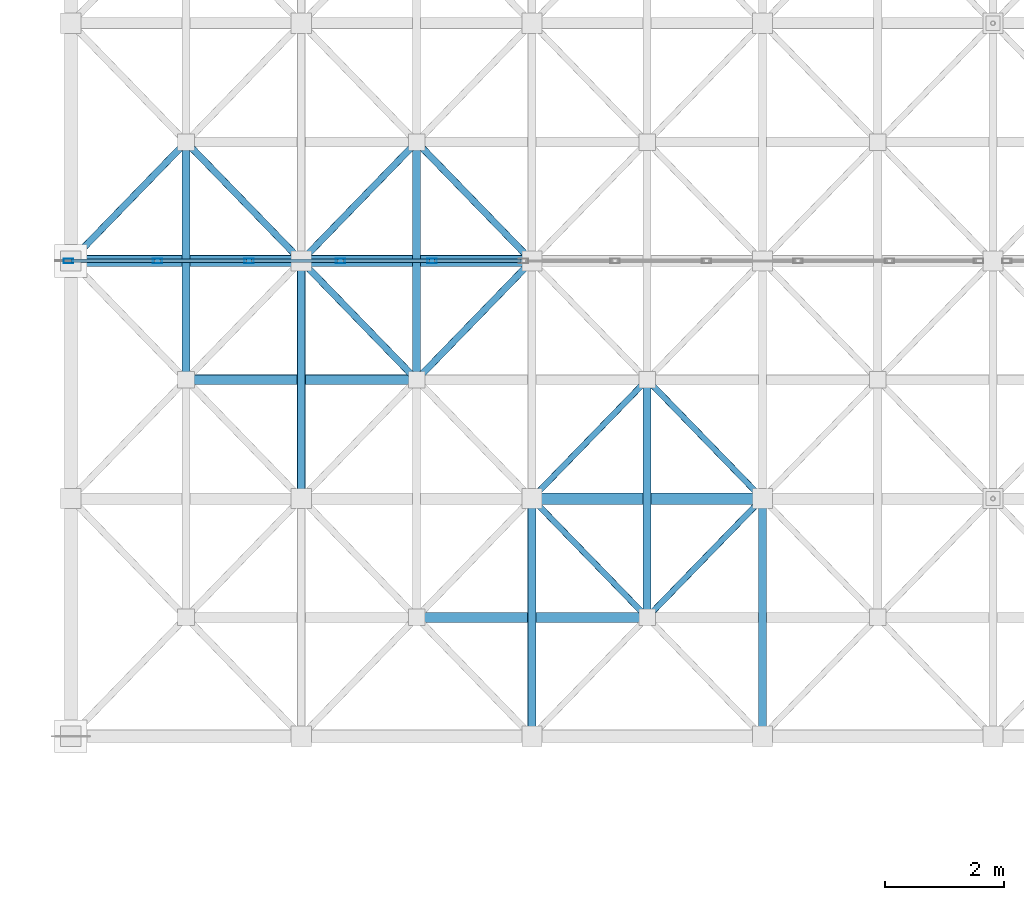
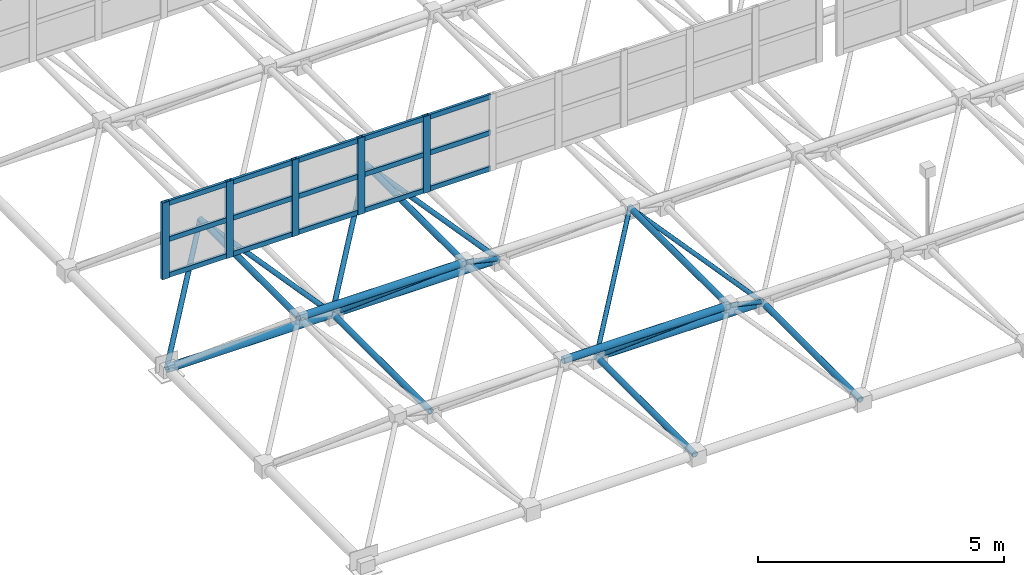
# One storey, part 47 of 195: 41 members, 1 element without a shape of its own.
"""IFC4 building model written with IfcOpenShell, lengths in metres."""

from ifc_helpers import new_model, si_unit, direction, frame, origin, origin_2d, place, context, subcontext, project, spatial, hollow_rectangle, hollow_circle, extrude, material, material_profile, profile_set, type_object, element, aggregate, save


model = new_model("IFC4")

# Units and contexts
model_context = context("Model", 3, precision=1e-05, world=origin(), true_north=direction((0.0, 1.0)))
body_context = subcontext(model_context, "Body", "Model", "MODEL_VIEW")
ifc_project = project(units=[si_unit("LENGTHUNIT", "METRE"), si_unit("AREAUNIT", "SQUARE_METRE"), si_unit("VOLUMEUNIT", "CUBIC_METRE"), si_unit("PLANEANGLEUNIT", "RADIAN"), si_unit("MASSUNIT", "GRAM", prefix="KILO")], contexts=[model_context])

# Site, building, storey
site_placement = place(None, origin())
site = spatial("IfcSite", under=ifc_project, at=site_placement, CompositionType="ELEMENT")
building_placement = place(site_placement, origin())
building = spatial("IfcBuilding", under=site, at=building_placement, Name="Kharva Crest Polytechnic", CompositionType="ELEMENT")
storey_placement = place(building_placement, frame((0.0, 0.0, 9.0)))
storey = spatial("IfcBuildingStorey", under=building, at=storey_placement, Name="L02", CompositionType="ELEMENT", Elevation=9.0)

# Curtain wall, members
ifc_material_1 = material(Name="Tempered insulated glass", Category="glass")
curtain_wall_type = type_object("IfcCurtainWallType", Name="CW-SYS-NORTHLIGHT", PredefinedType="USERDEFINED", material=ifc_material_1)
curtain_wall_placement = place(storey_placement, origin())
curtain_wall = element("IfcCurtainWall", 1, at=curtain_wall_placement, inside=storey, type_object=curtain_wall_type, Name="L02 Glazed Curtain Wall CW-189", ObjectType="CURTAIN WALL", PredefinedType="USERDEFINED")
ifc_material_2 = material(Name="Steel S355", Category="steel")
ifc_material_profile_1 = material_profile(ifc_material_2, hollow_rectangle(XDim=0.080078125, YDim=0.159912109375, WallThickness=0.0048828125, at=origin_2d()), Name="RHS 160X80X5.0")
ifc_profile_set_1 = profile_set([ifc_material_profile_1], Name="Steel S355")
member_type_1 = type_object("IfcMemberType", Name="CWM-RHS160X80", PredefinedType="MULLION", material=ifc_profile_set_1)
member_1_placement = place(storey_placement, frame((0.43994140625, 46.800048828125, 2.85009765625), z_axis=(0.0, 0.0, 1.0), x_axis=(0.0, 1.0, 0.0)))
member_1 = element("IfcMember", 2, at=member_1_placement, type_object=member_type_1, Name="CW-189 mullion 1", PredefinedType="MULLION", context=body_context, shape_type="SweptSolid", body=[
    extrude(hollow_rectangle(XDim=0.080078125, YDim=0.159912109375, WallThickness=0.0048828125, at=origin_2d()), origin(), (0.0, 0.0, 1.0), 1.89990234375),
])
member_2_placement = place(storey_placement, frame((1.93994140625, 46.800048828125, 2.85009765625), z_axis=(0.0, 0.0, 1.0), x_axis=(0.0, 1.0, 0.0)))
member_2 = element("IfcMember", 3, at=member_2_placement, type_object=member_type_1, Name="CW-189 mullion 2", PredefinedType="MULLION", context=body_context, shape_type="SweptSolid", body=[
    extrude(hollow_rectangle(XDim=0.080078125, YDim=0.159912109375, WallThickness=0.0048828125, at=origin_2d()), origin(), (0.0, 0.0, 1.0), 1.89990234375),
])
member_3_placement = place(storey_placement, frame((3.47998046875, 46.800048828125, 2.85009765625), z_axis=(0.0, 0.0, 1.0), x_axis=(0.0, 1.0, 0.0)))
member_3 = element("IfcMember", 4, at=member_3_placement, type_object=member_type_1, Name="CW-189 mullion 3", PredefinedType="MULLION", context=body_context, shape_type="SweptSolid", body=[
    extrude(hollow_rectangle(XDim=0.080078125, YDim=0.159912109375, WallThickness=0.0048828125, at=origin_2d()), origin(), (0.0, 0.0, 1.0), 1.89990234375),
])
member_4_placement = place(storey_placement, frame((5.02001953125, 46.800048828125, 2.85009765625), z_axis=(0.0, 0.0, 1.0), x_axis=(0.0, 1.0, 0.0)))
member_4 = element("IfcMember", 5, at=member_4_placement, type_object=member_type_1, Name="CW-189 mullion 4", PredefinedType="MULLION", context=body_context, shape_type="SweptSolid", body=[
    extrude(hollow_rectangle(XDim=0.080078125, YDim=0.159912109375, WallThickness=0.0048828125, at=origin_2d()), origin(), (0.0, 0.0, 1.0), 1.89990234375),
])
member_5_placement = place(storey_placement, frame((6.56005859375, 46.800048828125, 2.85009765625), z_axis=(0.0, 0.0, 1.0), x_axis=(0.0, 1.0, 0.0)))
member_5 = element("IfcMember", 6, at=member_5_placement, type_object=member_type_1, Name="CW-189 mullion 5", PredefinedType="MULLION", context=body_context, shape_type="SweptSolid", body=[
    extrude(hollow_rectangle(XDim=0.080078125, YDim=0.159912109375, WallThickness=0.0048828125, at=origin_2d()), origin(), (0.0, 0.0, 1.0), 1.89990234375),
])
ifc_material_profile_2 = material_profile(ifc_material_2, hollow_rectangle(XDim=0.06005859375, YDim=0.1201171875, WallThickness=0.00390625, at=origin_2d()), Name="RHS 120X60X4.0")
ifc_profile_set_2 = profile_set([ifc_material_profile_2], Name="Steel S355")
member_type_2 = type_object("IfcMemberType", Name="CWT-RHS120X60", PredefinedType="USERDEFINED", material=ifc_profile_set_2)
member_6_placement = place(storey_placement, frame((0.47998046875, 46.800048828125, 2.909912109375), z_axis=(1.0, 0.0, 0.0), x_axis=(0.0, 1.0, 0.0)))
member_6 = element("IfcMember", 7, at=member_6_placement, type_object=member_type_2, Name="CW-189 transom 1.1", ObjectType="TRANSOM", PredefinedType="USERDEFINED", context=body_context, shape_type="SweptSolid", body=[
    extrude(hollow_rectangle(XDim=0.06005859375, YDim=0.1201171875, WallThickness=0.00390625, at=origin_2d()), origin(), (0.0, 0.0, 1.0), 1.419921875),
])
member_7_placement = place(storey_placement, frame((0.47998046875, 46.800048828125, 3.800048828125), z_axis=(1.0, 0.0, 0.0), x_axis=(0.0, 1.0, 0.0)))
member_7 = element("IfcMember", 8, at=member_7_placement, type_object=member_type_2, Name="CW-189 transom 1.2", ObjectType="TRANSOM", PredefinedType="USERDEFINED", context=body_context, shape_type="SweptSolid", body=[
    extrude(hollow_rectangle(XDim=0.06005859375, YDim=0.1201171875, WallThickness=0.00390625, at=origin_2d()), origin(), (0.0, 0.0, 1.0), 1.419921875),
])
member_8_placement = place(storey_placement, frame((0.47998046875, 46.800048828125, 4.68994140625), z_axis=(1.0, 0.0, 0.0), x_axis=(0.0, 1.0, 0.0)))
member_8 = element("IfcMember", 9, at=member_8_placement, type_object=member_type_2, Name="CW-189 transom 1.3", ObjectType="TRANSOM", PredefinedType="USERDEFINED", context=body_context, shape_type="SweptSolid", body=[
    extrude(hollow_rectangle(XDim=0.06005859375, YDim=0.1201171875, WallThickness=0.00390625, at=origin_2d()), origin(), (0.0, 0.0, 1.0), 1.419921875),
])
member_9_placement = place(storey_placement, frame((1.97998046875, 46.800048828125, 2.909912109375), z_axis=(1.0, 0.0, 0.0), x_axis=(0.0, 1.0, 0.0)))
member_9 = element("IfcMember", 10, at=member_9_placement, type_object=member_type_2, Name="CW-189 transom 2.1", ObjectType="TRANSOM", PredefinedType="USERDEFINED", context=body_context, shape_type="SweptSolid", body=[
    extrude(hollow_rectangle(XDim=0.06005859375, YDim=0.1201171875, WallThickness=0.00390625, at=origin_2d()), origin(), (0.0, 0.0, 1.0), 1.4599609375),
])
member_10_placement = place(storey_placement, frame((1.97998046875, 46.800048828125, 3.800048828125), z_axis=(1.0, 0.0, 0.0), x_axis=(0.0, 1.0, 0.0)))
member_10 = element("IfcMember", 11, at=member_10_placement, type_object=member_type_2, Name="CW-189 transom 2.2", ObjectType="TRANSOM", PredefinedType="USERDEFINED", context=body_context, shape_type="SweptSolid", body=[
    extrude(hollow_rectangle(XDim=0.06005859375, YDim=0.1201171875, WallThickness=0.00390625, at=origin_2d()), origin(), (0.0, 0.0, 1.0), 1.4599609375),
])
member_11_placement = place(storey_placement, frame((1.97998046875, 46.800048828125, 4.68994140625), z_axis=(1.0, 0.0, 0.0), x_axis=(0.0, 1.0, 0.0)))
member_11 = element("IfcMember", 12, at=member_11_placement, type_object=member_type_2, Name="CW-189 transom 2.3", ObjectType="TRANSOM", PredefinedType="USERDEFINED", context=body_context, shape_type="SweptSolid", body=[
    extrude(hollow_rectangle(XDim=0.06005859375, YDim=0.1201171875, WallThickness=0.00390625, at=origin_2d()), origin(), (0.0, 0.0, 1.0), 1.4599609375),
])
member_12_placement = place(storey_placement, frame((3.52001953125, 46.800048828125, 2.909912109375), z_axis=(1.0, 0.0, 0.0), x_axis=(0.0, 1.0, 0.0)))
member_12 = element("IfcMember", 13, at=member_12_placement, type_object=member_type_2, Name="CW-189 transom 3.1", ObjectType="TRANSOM", PredefinedType="USERDEFINED", context=body_context, shape_type="SweptSolid", body=[
    extrude(hollow_rectangle(XDim=0.06005859375, YDim=0.1201171875, WallThickness=0.00390625, at=origin_2d()), origin(), (0.0, 0.0, 1.0), 1.4599609375),
])
member_13_placement = place(storey_placement, frame((3.52001953125, 46.800048828125, 3.800048828125), z_axis=(1.0, 0.0, 0.0), x_axis=(0.0, 1.0, 0.0)))
member_13 = element("IfcMember", 14, at=member_13_placement, type_object=member_type_2, Name="CW-189 transom 3.2", ObjectType="TRANSOM", PredefinedType="USERDEFINED", context=body_context, shape_type="SweptSolid", body=[
    extrude(hollow_rectangle(XDim=0.06005859375, YDim=0.1201171875, WallThickness=0.00390625, at=origin_2d()), origin(), (0.0, 0.0, 1.0), 1.4599609375),
])
member_14_placement = place(storey_placement, frame((3.52001953125, 46.800048828125, 4.68994140625), z_axis=(1.0, 0.0, 0.0), x_axis=(0.0, 1.0, 0.0)))
member_14 = element("IfcMember", 15, at=member_14_placement, type_object=member_type_2, Name="CW-189 transom 3.3", ObjectType="TRANSOM", PredefinedType="USERDEFINED", context=body_context, shape_type="SweptSolid", body=[
    extrude(hollow_rectangle(XDim=0.06005859375, YDim=0.1201171875, WallThickness=0.00390625, at=origin_2d()), origin(), (0.0, 0.0, 1.0), 1.4599609375),
])
member_15_placement = place(storey_placement, frame((5.06005859375, 46.800048828125, 2.909912109375), z_axis=(1.0, 0.0, 0.0), x_axis=(0.0, 1.0, 0.0)))
member_15 = element("IfcMember", 16, at=member_15_placement, type_object=member_type_2, Name="CW-189 transom 4.1", ObjectType="TRANSOM", PredefinedType="USERDEFINED", context=body_context, shape_type="SweptSolid", body=[
    extrude(hollow_rectangle(XDim=0.06005859375, YDim=0.1201171875, WallThickness=0.00390625, at=origin_2d()), origin(), (0.0, 0.0, 1.0), 1.4599609375),
])
member_16_placement = place(storey_placement, frame((5.06005859375, 46.800048828125, 3.800048828125), z_axis=(1.0, 0.0, 0.0), x_axis=(0.0, 1.0, 0.0)))
member_16 = element("IfcMember", 17, at=member_16_placement, type_object=member_type_2, Name="CW-189 transom 4.2", ObjectType="TRANSOM", PredefinedType="USERDEFINED", context=body_context, shape_type="SweptSolid", body=[
    extrude(hollow_rectangle(XDim=0.06005859375, YDim=0.1201171875, WallThickness=0.00390625, at=origin_2d()), origin(), (0.0, 0.0, 1.0), 1.4599609375),
])
member_17_placement = place(storey_placement, frame((5.06005859375, 46.800048828125, 4.68994140625), z_axis=(1.0, 0.0, 0.0), x_axis=(0.0, 1.0, 0.0)))
member_17 = element("IfcMember", 18, at=member_17_placement, type_object=member_type_2, Name="CW-189 transom 4.3", ObjectType="TRANSOM", PredefinedType="USERDEFINED", context=body_context, shape_type="SweptSolid", body=[
    extrude(hollow_rectangle(XDim=0.06005859375, YDim=0.1201171875, WallThickness=0.00390625, at=origin_2d()), origin(), (0.0, 0.0, 1.0), 1.4599609375),
])
member_18_placement = place(storey_placement, frame((6.60009765625, 46.800048828125, 2.909912109375), z_axis=(1.0, 0.0, 0.0), x_axis=(0.0, 1.0, 0.0)))
member_18 = element("IfcMember", 19, at=member_18_placement, type_object=member_type_2, Name="CW-189 transom 5.1", ObjectType="TRANSOM", PredefinedType="USERDEFINED", context=body_context, shape_type="SweptSolid", body=[
    extrude(hollow_rectangle(XDim=0.06005859375, YDim=0.1201171875, WallThickness=0.00390625, at=origin_2d()), origin(), (0.0, 0.0, 1.0), 1.4599609375),
])
member_19_placement = place(storey_placement, frame((6.60009765625, 46.800048828125, 3.800048828125), z_axis=(1.0, 0.0, 0.0), x_axis=(0.0, 1.0, 0.0)))
member_19 = element("IfcMember", 20, at=member_19_placement, type_object=member_type_2, Name="CW-189 transom 5.2", ObjectType="TRANSOM", PredefinedType="USERDEFINED", context=body_context, shape_type="SweptSolid", body=[
    extrude(hollow_rectangle(XDim=0.06005859375, YDim=0.1201171875, WallThickness=0.00390625, at=origin_2d()), origin(), (0.0, 0.0, 1.0), 1.4599609375),
])
member_20_placement = place(storey_placement, frame((6.60009765625, 46.800048828125, 4.68994140625), z_axis=(1.0, 0.0, 0.0), x_axis=(0.0, 1.0, 0.0)))
member_20 = element("IfcMember", 21, at=member_20_placement, type_object=member_type_2, Name="CW-189 transom 5.3", ObjectType="TRANSOM", PredefinedType="USERDEFINED", context=body_context, shape_type="SweptSolid", body=[
    extrude(hollow_rectangle(XDim=0.06005859375, YDim=0.1201171875, WallThickness=0.00390625, at=origin_2d()), origin(), (0.0, 0.0, 1.0), 1.4599609375),
])
aggregate(curtain_wall, [member_1, member_2, member_3, member_4, member_5, member_6, member_7, member_8, member_9, member_10, member_11, member_12, member_13, member_14, member_15, member_16, member_17, member_18, member_19, member_20])

# Members
ifc_material_profile_3 = material_profile(ifc_material_2, hollow_circle(Radius=0.05078125, WallThickness=0.0048828125, at=origin_2d()), Name="CHS 101.6X5.0")
ifc_profile_set_3 = profile_set([ifc_material_profile_3], Name="Steel S355")
member_type_3 = type_object("IfcMemberType", Name="MEM-CHS101", PredefinedType="BRACE", material=ifc_profile_set_3)
for number, where, z_axis, x_axis, name in (
    (22, (8.239990234375, 42.800048828125, 0.60009765625), (0.584843378742, -0.602949529154, 0.542595694449), (0.717802189577, 0.696247094528, 0.0), "Space Frame Web Diagonal 563"),
    (23, (12.1201171875, 42.800048828125, 0.60009765625), (-0.584891802813, -0.602923574763, 0.542572338032), (0.717758400015, -0.696292236929, 0.0), "Space Frame Web Diagonal 564"),
    (24, (8.239990234375, 42.800048828125, 0.60009765625), (0.584843378742, 0.602949529154, 0.542595694449), (-0.717802189577, 0.696247094528, 0.0), "Space Frame Web Diagonal 565"),
    (25, (12.1201171875, 42.800048828125, 0.60009765625), (-0.584891802813, 0.602923574763, 0.542572338032), (-0.717758400015, -0.696292236929, 0.0), "Space Frame Web Diagonal 566"),
):
    element("IfcMember", number, at=place(storey_placement, frame(where, z_axis=z_axis, x_axis=x_axis)), inside=storey, type_object=member_type_3, Name=name, PredefinedType="BRACE", context=body_context, shape_type="SweptSolid", body=[
        extrude(hollow_circle(Radius=0.05078125, WallThickness=0.0048828125, at=origin_2d()), origin(), (0.0, 0.0, 1.0), 3.317138671875),
    ])
ifc_material_profile_4 = material_profile(ifc_material_2, hollow_circle(Radius=0.05712890625, WallThickness=0.00634765625, at=origin_2d()), Name="CHS 114.3X6.3")
ifc_profile_set_4 = profile_set([ifc_material_profile_4], Name="Steel S355")
member_type_4 = type_object("IfcMemberType", Name="MEM-CHS114", PredefinedType="BRACE", material=ifc_profile_set_4)
for number, where, z_axis, x_axis, name in (
    (26, (0.47998046875, 46.800048828125, 0.60009765625), (0.584843378742, 0.602949529154, 0.542595694449), (-0.717802189577, 0.696247094528, 0.0), "Space Frame Web Diagonal 457"),
    (27, (4.360107421875, 46.800048828125, 0.60009765625), (-0.584891802813, 0.602923574763, 0.542572338032), (-0.717758400015, -0.696292236929, 0.0), "Space Frame Web Diagonal 458"),
    (28, (4.360107421875, 46.800048828125, 0.60009765625), (0.584843378742, -0.602949529154, 0.542595694449), (0.717802189577, 0.696247094528, 0.0), "Space Frame Web Diagonal 511"),
    (29, (8.239990234375, 46.800048828125, 0.60009765625), (-0.584843378742, -0.602949529154, 0.542595694449), (0.717802189577, -0.696247094528, 0.0), "Space Frame Web Diagonal 512"),
    (30, (4.360107421875, 46.800048828125, 0.60009765625), (0.584843378742, 0.602949529154, 0.542595694449), (-0.717802189577, 0.696247094528, 0.0), "Space Frame Web Diagonal 513"),
    (31, (8.239990234375, 46.800048828125, 0.60009765625), (-0.584843378742, 0.602949529154, 0.542595694449), (-0.717802189577, -0.696247094528, 0.0), "Space Frame Web Diagonal 514"),
):
    element("IfcMember", number, at=place(storey_placement, frame(where, z_axis=z_axis, x_axis=x_axis)), inside=storey, type_object=member_type_4, Name=name, PredefinedType="BRACE", context=body_context, shape_type="SweptSolid", body=[
        extrude(hollow_circle(Radius=0.05712890625, WallThickness=0.00634765625, at=origin_2d()), origin(), (0.0, 0.0, 1.0), 3.317138671875),
    ])
ifc_material_profile_5 = material_profile(ifc_material_2, hollow_circle(Radius=0.06982421875, WallThickness=0.00634765625, at=origin_2d()), Name="CHS 139.7X6.3")
ifc_profile_set_5 = profile_set([ifc_material_profile_5], Name="Steel S355")
member_type_5 = type_object("IfcMemberType", Name="MEM-CHS139", PredefinedType="CHORD", material=ifc_profile_set_5)
for number, where, z_axis, x_axis, name in (
    (32, (4.360107421875, 42.800048828125, 0.60009765625), (0.0, 1.0, 0.0), (-1.0, 0.0, 0.0), "Space Frame Bottom Chord Y 136"),
    (33, (8.239990234375, 38.800048828125, 0.60009765625), (0.0, 1.0, 0.0), (-1.0, 0.0, 0.0), "Space Frame Bottom Chord Y 149"),
    (34, (12.1201171875, 38.800048828125, 0.60009765625), (0.0, 1.0, 0.0), (-1.0, 0.0, 0.0), "Space Frame Bottom Chord Y 163"),
    (35, (2.419921875, 44.800048828125, 2.39990234375), (0.0, 1.0, 0.0), (-1.0, 0.0, 0.0), "Space Frame Top Chord Y 346"),
    (36, (6.300048828125, 44.800048828125, 2.39990234375), (0.0, 1.0, 0.0), (-1.0, 0.0, 0.0), "Space Frame Top Chord Y 359"),
    (37, (10.179931640625, 40.800048828125, 2.39990234375), (0.0, 1.0, 0.0), (-1.0, 0.0, 0.0), "Space Frame Top Chord Y 371"),
):
    element("IfcMember", number, at=place(storey_placement, frame(where, z_axis=z_axis, x_axis=x_axis)), inside=storey, type_object=member_type_5, Name=name, PredefinedType="CHORD", context=body_context, shape_type="SweptSolid", body=[
        extrude(hollow_circle(Radius=0.06982421875, WallThickness=0.00634765625, at=origin_2d()), origin(), (0.0, 0.0, 1.0), 4.0),
    ])
ifc_material_profile_6 = material_profile(ifc_material_2, hollow_circle(Radius=0.084228515625, WallThickness=0.008056640625, at=origin_2d()), Name="CHS 168.3X8.0")
ifc_profile_set_6 = profile_set([ifc_material_profile_6], Name="Steel S355")
member_type_6 = type_object("IfcMemberType", Name="MEM-CHS168", PredefinedType="CHORD", material=ifc_profile_set_6)
member_21_placement = place(storey_placement, frame((6.300048828125, 40.800048828125, 2.39990234375), z_axis=(1.0, 0.0, 0.0), x_axis=(0.0, 1.0, 0.0)))
element("IfcMember", 38, at=member_21_placement, inside=storey, type_object=member_type_6, Name="Space Frame Top Chord X 248", PredefinedType="CHORD", context=body_context, shape_type="SweptSolid", body=[
    extrude(hollow_circle(Radius=0.084228515625, WallThickness=0.008056640625, at=origin_2d()), origin(), (0.0, 0.0, 1.0), 3.8798828125),
])
member_22_placement = place(storey_placement, frame((2.419921875, 44.800048828125, 2.39990234375), z_axis=(1.0, 0.0, 0.0), x_axis=(0.0, 1.0, 0.0)))
element("IfcMember", 39, at=member_22_placement, inside=storey, type_object=member_type_6, Name="Space Frame Top Chord X 254", PredefinedType="CHORD", context=body_context, shape_type="SweptSolid", body=[
    extrude(hollow_circle(Radius=0.084228515625, WallThickness=0.008056640625, at=origin_2d()), origin(), (0.0, 0.0, 1.0), 3.880126953125),
])
ifc_material_profile_7 = material_profile(ifc_material_2, hollow_circle(Radius=0.096923828125, WallThickness=0.008056640625, at=origin_2d()), Name="CHS 193.7X8.0")
ifc_profile_set_7 = profile_set([ifc_material_profile_7], Name="Steel S355")
member_type_7 = type_object("IfcMemberType", Name="MEM-CHS193", PredefinedType="CHORD", material=ifc_profile_set_7)
for number, where, z_axis, x_axis, name in (
    (40, (8.239990234375, 42.800048828125, 0.60009765625), (1.0, 0.0, 0.0), (0.0, 1.0, 0.0), "Space Frame Bottom Chord X 11"),
    (41, (0.47998046875, 46.800048828125, 0.60009765625), (1.0, 0.0, 0.0), (0.0, 1.0, 0.0), "Space Frame Bottom Chord X 17"),
):
    element("IfcMember", number, at=place(storey_placement, frame(where, z_axis=z_axis, x_axis=x_axis)), inside=storey, type_object=member_type_7, Name=name, PredefinedType="CHORD", context=body_context, shape_type="SweptSolid", body=[
        extrude(hollow_circle(Radius=0.096923828125, WallThickness=0.008056640625, at=origin_2d()), origin(), (0.0, 0.0, 1.0), 3.880126953125),
    ])
member_23_placement = place(storey_placement, frame((4.360107421875, 46.800048828125, 0.60009765625), z_axis=(1.0, 0.0, 0.0), x_axis=(0.0, 1.0, 0.0)))
element("IfcMember", 42, at=member_23_placement, inside=storey, type_object=member_type_7, Name="Space Frame Bottom Chord X 18", PredefinedType="CHORD", context=body_context, shape_type="SweptSolid", body=[
    extrude(hollow_circle(Radius=0.096923828125, WallThickness=0.008056640625, at=origin_2d()), origin(), (0.0, 0.0, 1.0), 3.8798828125),
])

save(model, "model.ifc")
